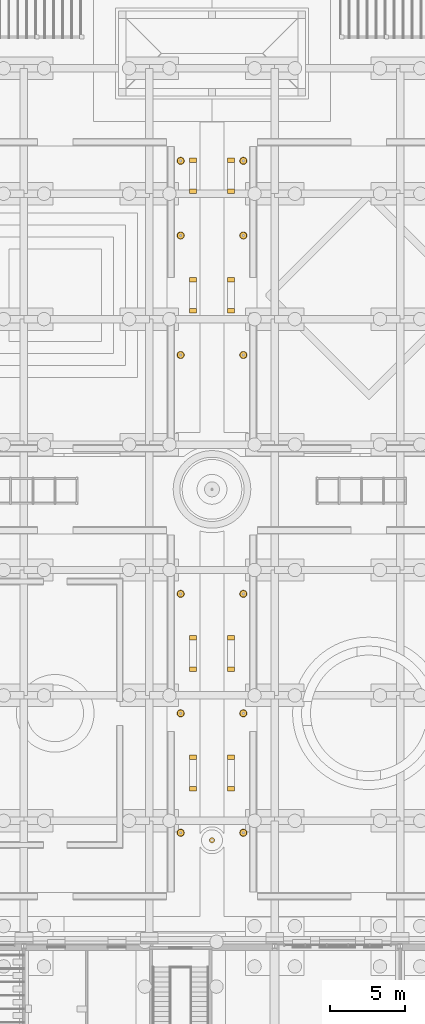
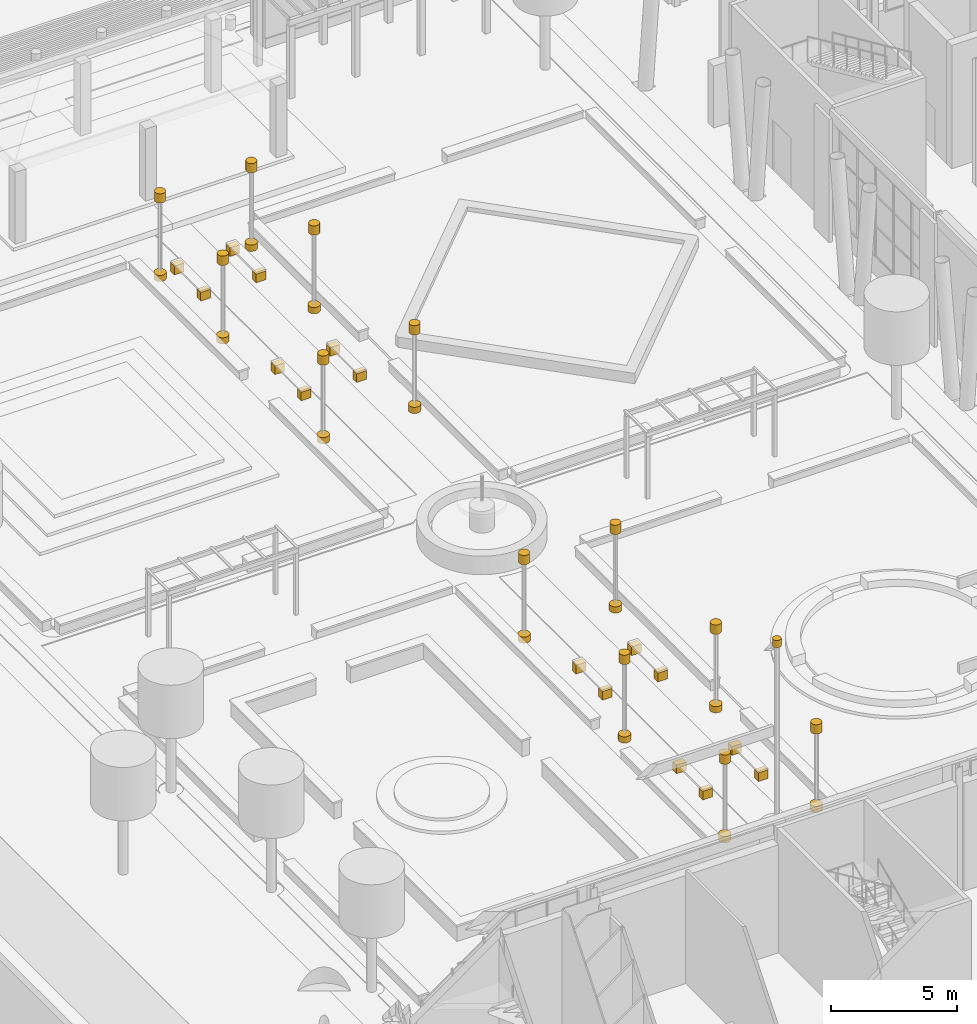
# One storey, part 208 of 222: 41 coverings.
"""IFC4 building model written with IfcOpenShell, lengths in metres."""

from ifc_helpers import new_model, si_unit, direction, frame, origin, origin_2d, place, context, subcontext, project, spatial, polyline, circle, outline, extrude, material, layer, layer_set, type_object, element, save


model = new_model("IFC4")

# Units and contexts
model_context = context("Model", 3, precision=1e-05, world=origin(), true_north=direction((0.0, 1.0)))
body_context = subcontext(model_context, "Body", "Model", "MODEL_VIEW")
ifc_project = project(units=[si_unit("LENGTHUNIT", "METRE"), si_unit("AREAUNIT", "SQUARE_METRE"), si_unit("VOLUMEUNIT", "CUBIC_METRE"), si_unit("PLANEANGLEUNIT", "RADIAN"), si_unit("MASSUNIT", "GRAM", prefix="KILO")], contexts=[model_context])

# Site, building, storey
site_placement = place(None, origin())
site = spatial("IfcSite", under=ifc_project, at=site_placement, CompositionType="ELEMENT")
building_placement = place(site_placement, origin())
building = spatial("IfcBuilding", under=site, at=building_placement, Name="Sava Quay Ferry Terminal", CompositionType="ELEMENT")
storey_placement = place(building_placement, origin())
storey = spatial("IfcBuildingStorey", under=building, at=storey_placement, Name="L00", CompositionType="ELEMENT", Elevation=0.0)

# Coverings
ifc_material_1 = material(Name="Limestone Mutalj", Category="masonry")
ifc_layer_1 = layer(ifc_material_1, 0.300048828125)
ifc_layer_set_1 = layer_set([ifc_layer_1], Name="Limestone Mutalj")
covering_type_1 = type_object("IfcCoveringType", Name="Bench stone support 300", PredefinedType="CLADDING", material=ifc_layer_set_1)
covering_1_placement = place(storey_placement, origin())
element("IfcCovering", 1, at=covering_1_placement, inside=storey, type_object=covering_type_1, Name="Bench stone support", PredefinedType="CLADDING", context=body_context, shape_type="SweptSolid", body=[
    extrude(outline(polyline([(19.949951171875, 60.800048828125), (19.949951171875, 61.10009765625), (19.5, 61.10009765625), (19.5, 60.800048828125), (19.949951171875, 60.800048828125)])), origin(), (0.0, 0.0, 1.0), 0.419921875),
])
covering_2_placement = place(storey_placement, origin())
element("IfcCovering", 2, at=covering_2_placement, inside=storey, type_object=covering_type_1, Name="Bench stone support", PredefinedType="CLADDING", context=body_context, shape_type="SweptSolid", body=[
    extrude(outline(polyline([(19.949951171875, 62.89990234375), (19.949951171875, 63.199951171875), (19.5, 63.199951171875), (19.5, 62.89990234375), (19.949951171875, 62.89990234375)])), origin(), (0.0, 0.0, 1.0), 0.419921875),
])
covering_3_placement = place(storey_placement, origin())
element("IfcCovering", 3, at=covering_3_placement, inside=storey, type_object=covering_type_1, Name="Bench stone support", PredefinedType="CLADDING", context=body_context, shape_type="SweptSolid", body=[
    extrude(outline(polyline([(19.949951171875, 68.800048828125), (19.949951171875, 69.10009765625), (19.5, 69.10009765625), (19.5, 68.800048828125), (19.949951171875, 68.800048828125)])), origin(), (0.0, 0.0, 1.0), 0.419921875),
])
covering_4_placement = place(storey_placement, origin())
element("IfcCovering", 4, at=covering_4_placement, inside=storey, type_object=covering_type_1, Name="Bench stone support", PredefinedType="CLADDING", context=body_context, shape_type="SweptSolid", body=[
    extrude(outline(polyline([(19.949951171875, 70.89990234375), (19.949951171875, 71.199951171875), (19.5, 71.199951171875), (19.5, 70.89990234375), (19.949951171875, 70.89990234375)])), origin(), (0.0, 0.0, 1.0), 0.419921875),
])
covering_5_placement = place(storey_placement, origin())
element("IfcCovering", 5, at=covering_5_placement, inside=storey, type_object=covering_type_1, Name="Bench stone support", PredefinedType="CLADDING", context=body_context, shape_type="SweptSolid", body=[
    extrude(outline(polyline([(19.949951171875, 92.800048828125), (19.949951171875, 93.10009765625), (19.5, 93.10009765625), (19.5, 92.800048828125), (19.949951171875, 92.800048828125)])), origin(), (0.0, 0.0, 1.0), 0.419921875),
])
covering_6_placement = place(storey_placement, origin())
element("IfcCovering", 6, at=covering_6_placement, inside=storey, type_object=covering_type_1, Name="Bench stone support", PredefinedType="CLADDING", context=body_context, shape_type="SweptSolid", body=[
    extrude(outline(polyline([(19.949951171875, 94.89990234375), (19.949951171875, 95.199951171875), (19.5, 95.199951171875), (19.5, 94.89990234375), (19.949951171875, 94.89990234375)])), origin(), (0.0, 0.0, 1.0), 0.419921875),
])
covering_7_placement = place(storey_placement, origin())
element("IfcCovering", 7, at=covering_7_placement, inside=storey, type_object=covering_type_1, Name="Bench stone support", PredefinedType="CLADDING", context=body_context, shape_type="SweptSolid", body=[
    extrude(outline(polyline([(19.949951171875, 100.800048828125), (19.949951171875, 101.10009765625), (19.5, 101.10009765625), (19.5, 100.800048828125), (19.949951171875, 100.800048828125)])), origin(), (0.0, 0.0, 1.0), 0.419921875),
])
covering_8_placement = place(storey_placement, origin())
element("IfcCovering", 8, at=covering_8_placement, inside=storey, type_object=covering_type_1, Name="Bench stone support", PredefinedType="CLADDING", context=body_context, shape_type="SweptSolid", body=[
    extrude(outline(polyline([(19.949951171875, 102.89990234375), (19.949951171875, 103.199951171875), (19.5, 103.199951171875), (19.5, 102.89990234375), (19.949951171875, 102.89990234375)])), origin(), (0.0, 0.0, 1.0), 0.419921875),
])
covering_9_placement = place(storey_placement, origin())
element("IfcCovering", 9, at=covering_9_placement, inside=storey, type_object=covering_type_1, Name="Bench stone support", PredefinedType="CLADDING", context=body_context, shape_type="SweptSolid", body=[
    extrude(outline(polyline([(22.5, 60.800048828125), (22.5, 61.10009765625), (22.050048828125, 61.10009765625), (22.050048828125, 60.800048828125), (22.5, 60.800048828125)])), origin(), (0.0, 0.0, 1.0), 0.419921875),
])
covering_10_placement = place(storey_placement, origin())
element("IfcCovering", 10, at=covering_10_placement, inside=storey, type_object=covering_type_1, Name="Bench stone support", PredefinedType="CLADDING", context=body_context, shape_type="SweptSolid", body=[
    extrude(outline(polyline([(22.5, 62.89990234375), (22.5, 63.199951171875), (22.050048828125, 63.199951171875), (22.050048828125, 62.89990234375), (22.5, 62.89990234375)])), origin(), (0.0, 0.0, 1.0), 0.419921875),
])
covering_11_placement = place(storey_placement, origin())
element("IfcCovering", 11, at=covering_11_placement, inside=storey, type_object=covering_type_1, Name="Bench stone support", PredefinedType="CLADDING", context=body_context, shape_type="SweptSolid", body=[
    extrude(outline(polyline([(22.5, 68.800048828125), (22.5, 69.10009765625), (22.050048828125, 69.10009765625), (22.050048828125, 68.800048828125), (22.5, 68.800048828125)])), origin(), (0.0, 0.0, 1.0), 0.419921875),
])
covering_12_placement = place(storey_placement, origin())
element("IfcCovering", 12, at=covering_12_placement, inside=storey, type_object=covering_type_1, Name="Bench stone support", PredefinedType="CLADDING", context=body_context, shape_type="SweptSolid", body=[
    extrude(outline(polyline([(22.5, 70.89990234375), (22.5, 71.199951171875), (22.050048828125, 71.199951171875), (22.050048828125, 70.89990234375), (22.5, 70.89990234375)])), origin(), (0.0, 0.0, 1.0), 0.419921875),
])
covering_13_placement = place(storey_placement, origin())
element("IfcCovering", 13, at=covering_13_placement, inside=storey, type_object=covering_type_1, Name="Bench stone support", PredefinedType="CLADDING", context=body_context, shape_type="SweptSolid", body=[
    extrude(outline(polyline([(22.5, 92.800048828125), (22.5, 93.10009765625), (22.050048828125, 93.10009765625), (22.050048828125, 92.800048828125), (22.5, 92.800048828125)])), origin(), (0.0, 0.0, 1.0), 0.419921875),
])
covering_14_placement = place(storey_placement, origin())
element("IfcCovering", 14, at=covering_14_placement, inside=storey, type_object=covering_type_1, Name="Bench stone support", PredefinedType="CLADDING", context=body_context, shape_type="SweptSolid", body=[
    extrude(outline(polyline([(22.5, 94.89990234375), (22.5, 95.199951171875), (22.050048828125, 95.199951171875), (22.050048828125, 94.89990234375), (22.5, 94.89990234375)])), origin(), (0.0, 0.0, 1.0), 0.419921875),
])
covering_15_placement = place(storey_placement, origin())
element("IfcCovering", 15, at=covering_15_placement, inside=storey, type_object=covering_type_1, Name="Bench stone support", PredefinedType="CLADDING", context=body_context, shape_type="SweptSolid", body=[
    extrude(outline(polyline([(22.5, 100.800048828125), (22.5, 101.10009765625), (22.050048828125, 101.10009765625), (22.050048828125, 100.800048828125), (22.5, 100.800048828125)])), origin(), (0.0, 0.0, 1.0), 0.419921875),
])
covering_16_placement = place(storey_placement, origin())
element("IfcCovering", 16, at=covering_16_placement, inside=storey, type_object=covering_type_1, Name="Bench stone support", PredefinedType="CLADDING", context=body_context, shape_type="SweptSolid", body=[
    extrude(outline(polyline([(22.5, 102.89990234375), (22.5, 103.199951171875), (22.050048828125, 103.199951171875), (22.050048828125, 102.89990234375), (22.5, 102.89990234375)])), origin(), (0.0, 0.0, 1.0), 0.419921875),
])
ifc_material_2 = material(Name="Glass lantern", Category="glass")
ifc_layer_2 = layer(ifc_material_2, 0.449951171875)
ifc_layer_set_2 = layer_set([ifc_layer_2], Name="Glass lantern")
covering_type_2 = type_object("IfcCoveringType", Name="Lamp lantern 450", PredefinedType="CLADDING", material=ifc_layer_set_2)
for number, where, z_axis, x_axis, name in (
    (17, (18.89990234375, 58.0, 4.25), (0.0, 0.0, -1.0), (1.0, 0.0, 0.0), "Lamp lantern"),
    (18, (23.10009765625, 58.0, 4.25), (0.0, 0.0, -1.0), (1.0, 0.0, 0.0), "Lamp lantern"),
    (19, (18.89990234375, 66.0, 4.25), (0.0, 0.0, -1.0), (1.0, 0.0, 0.0), "Lamp lantern"),
    (20, (23.10009765625, 66.0, 4.25), (0.0, 0.0, -1.0), (1.0, 0.0, 0.0), "Lamp lantern"),
    (21, (18.89990234375, 74.0, 4.25), (0.0, 0.0, -1.0), (1.0, 0.0, 0.0), "Lamp lantern"),
    (22, (23.10009765625, 74.0, 4.25), (0.0, 0.0, -1.0), (1.0, 0.0, 0.0), "Lamp lantern"),
    (23, (18.89990234375, 90.0, 4.25), (0.0, 0.0, -1.0), (1.0, 0.0, 0.0), "Lamp lantern"),
    (24, (23.10009765625, 90.0, 4.25), (0.0, 0.0, -1.0), (1.0, 0.0, 0.0), "Lamp lantern"),
    (25, (18.89990234375, 98.0, 4.25), (0.0, 0.0, -1.0), (1.0, 0.0, 0.0), "Lamp lantern"),
    (26, (23.10009765625, 98.0, 4.25), (0.0, 0.0, -1.0), (1.0, 0.0, 0.0), "Lamp lantern"),
    (27, (18.89990234375, 103.0, 4.25), (0.0, 0.0, -1.0), (1.0, 0.0, 0.0), "Lamp lantern"),
    (28, (23.10009765625, 103.0, 4.25), (0.0, 0.0, -1.0), (1.0, 0.0, 0.0), "Lamp lantern"),
):
    element("IfcCovering", number, at=place(storey_placement, frame(where, z_axis=z_axis, x_axis=x_axis)), inside=storey, type_object=covering_type_2, Name=name, PredefinedType="CLADDING", context=body_context, shape_type="SweptSolid", body=[
        extrude(circle(Radius=0.22509765625, at=origin_2d()), origin(), (0.0, 0.0, 1.0), 0.449951171875),
    ])
ifc_material_3 = material(Name="Steel S355", Category="steel")
ifc_layer_3 = layer(ifc_material_3, 0.5)
ifc_layer_set_3 = layer_set([ifc_layer_3], Name="Steel S355")
covering_type_3 = type_object("IfcCoveringType", Name="Lamp standard base 500", PredefinedType="MOLDING", material=ifc_layer_set_3)
for number, where, z_axis, x_axis, name in (
    (29, (18.89990234375, 58.0, 0.300048828125), (0.0, 0.0, -1.0), (1.0, 0.0, 0.0), "Lamp standard base"),
    (30, (23.10009765625, 58.0, 0.300048828125), (0.0, 0.0, -1.0), (1.0, 0.0, 0.0), "Lamp standard base"),
    (31, (18.89990234375, 66.0, 0.300048828125), (0.0, 0.0, -1.0), (1.0, 0.0, 0.0), "Lamp standard base"),
    (32, (23.10009765625, 66.0, 0.300048828125), (0.0, 0.0, -1.0), (1.0, 0.0, 0.0), "Lamp standard base"),
    (33, (18.89990234375, 74.0, 0.300048828125), (0.0, 0.0, -1.0), (1.0, 0.0, 0.0), "Lamp standard base"),
    (34, (23.10009765625, 74.0, 0.300048828125), (0.0, 0.0, -1.0), (1.0, 0.0, 0.0), "Lamp standard base"),
    (35, (18.89990234375, 90.0, 0.300048828125), (0.0, 0.0, -1.0), (1.0, 0.0, 0.0), "Lamp standard base"),
    (36, (23.10009765625, 90.0, 0.300048828125), (0.0, 0.0, -1.0), (1.0, 0.0, 0.0), "Lamp standard base"),
    (37, (18.89990234375, 98.0, 0.300048828125), (0.0, 0.0, -1.0), (1.0, 0.0, 0.0), "Lamp standard base"),
    (38, (23.10009765625, 98.0, 0.300048828125), (0.0, 0.0, -1.0), (1.0, 0.0, 0.0), "Lamp standard base"),
    (39, (18.89990234375, 103.0, 0.300048828125), (0.0, 0.0, -1.0), (1.0, 0.0, 0.0), "Lamp standard base"),
    (40, (23.10009765625, 103.0, 0.300048828125), (0.0, 0.0, -1.0), (1.0, 0.0, 0.0), "Lamp standard base"),
):
    element("IfcCovering", number, at=place(storey_placement, frame(where, z_axis=z_axis, x_axis=x_axis)), inside=storey, type_object=covering_type_3, Name=name, PredefinedType="MOLDING", context=body_context, shape_type="SweptSolid", body=[
        extrude(circle(Radius=0.25, at=origin_2d()), origin(), (0.0, 0.0, 1.0), 0.300048828125),
    ])
ifc_material_4 = material(Name="Bronze")
ifc_layer_4 = layer(ifc_material_4, 0.35009765625)
ifc_layer_set_4 = layer_set([ifc_layer_4], Name="Bronze")
covering_type_4 = type_object("IfcCoveringType", Name="Plaza flagstaff finial 350", PredefinedType="MOLDING", material=ifc_layer_set_4)
covering_17_placement = place(storey_placement, frame((21.0, 57.5, 9.35009765625), z_axis=(0.0, 0.0, -1.0), x_axis=(1.0, 0.0, 0.0)))
element("IfcCovering", 41, at=covering_17_placement, inside=storey, type_object=covering_type_4, Name="Flagstaff finial", PredefinedType="MOLDING", context=body_context, shape_type="SweptSolid", body=[
    extrude(circle(Radius=0.175048828125, at=origin_2d()), origin(), (0.0, 0.0, 1.0), 0.35009765625),
])

save(model, "model.ifc")
